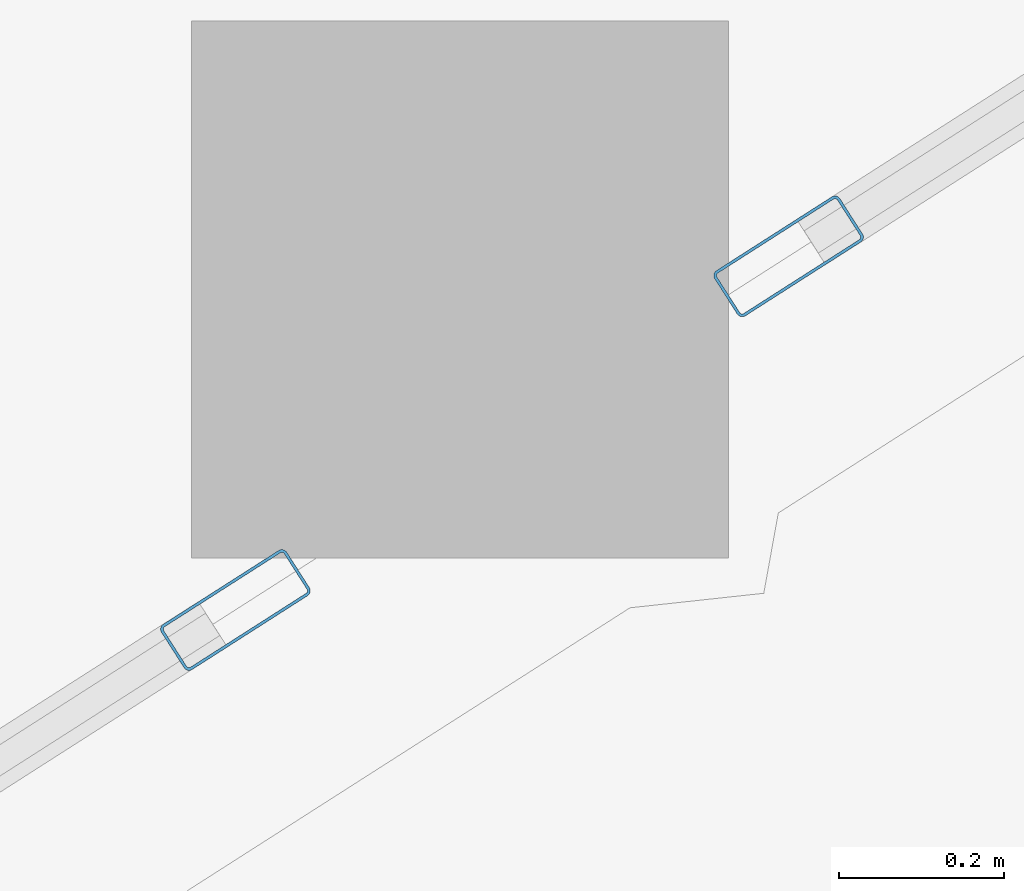
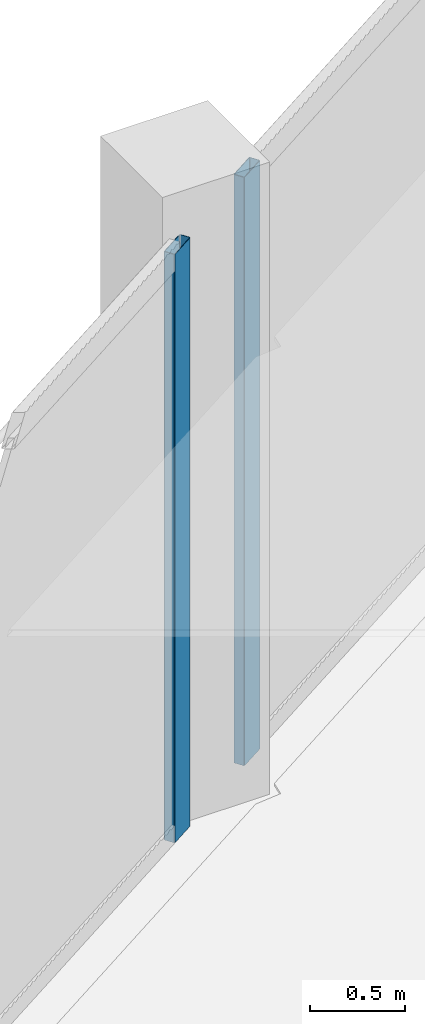
# One storey, part 21 of 45: 2 members, 2 elements without a shape of their own.
"""IFC4 building model written with IfcOpenShell, lengths in metres."""

import ifcopenshell
import ifcopenshell.guid

model = None  # the IFC model being written
_history = None  # IfcOwnerHistory: only IFC2X3 demands one
_inside = {}  # id of a spatial element -> (the spatial element, [elements in it])
_under = {}  # id of a project, library or spatial element -> (it, [spatial elements below it])
_declared = {}  # id of a project -> (the project, [libraries it declares])
_typed = {}  # id of a type object -> (the type object, [elements of that type])
_made_of = {}  # id of a material, layer set ... -> (it, [elements and type objects made of it])


def new_model(schema):
    """Start an empty IFC model of exactly this schema.

    Asked for "IFC4X3", IfcOpenShell would pick the latest addendum, in which some entities
    have other attributes; the version numbers below select the first issue.
    IFC2X3 requires an IfcOwnerHistory on every rooted entity: one is made here for all.
    """
    global model, _history
    if schema == "IFC4X3":
        model = ifcopenshell.file(schema_version=(4, 3, 0, 0))
    else:
        model = ifcopenshell.file(schema=schema)
    _inside.clear()
    _under.clear()
    _declared.clear()
    _typed.clear()
    _made_of.clear()
    _history = None
    if model.schema == "IFC2X3":
        org = make("IfcOrganization", Name="unknown")
        user = make(
            "IfcPersonAndOrganization",
            ThePerson=make("IfcPerson", FamilyName="unknown"),
            TheOrganization=org,
        )
        app = make(
            "IfcApplication",
            ApplicationDeveloper=org,
            Version="unknown",
            ApplicationFullName="unknown",
            ApplicationIdentifier="unknown",
        )
        _history = make(
            "IfcOwnerHistory",
            OwningUser=user,
            OwningApplication=app,
            ChangeAction="ADDED",
            CreationDate=0,
        )
    return model


def make(cls, **values):
    """One entity of the class cls with the attributes given. An attribute that is None is left unset."""
    return model.create_entity(
        cls, **{name: value for name, value in values.items() if value is not None}
    )


def rooted(cls, **values):
    """An entity with a GlobalId (a new one), such as an element, a storey or a relation."""
    return make(cls, GlobalId=ifcopenshell.guid.new(), OwnerHistory=_history, **values)


def si_unit(unit_type, name, prefix=None):
    """IfcSIUnit, for example si_unit("LENGTHUNIT", "METRE", prefix="MILLI")."""
    return make("IfcSIUnit", UnitType=unit_type, Prefix=prefix, Name=name)


def assignment(units):
    """IfcUnitAssignment: the units of a project."""
    return None if units is None else make("IfcUnitAssignment", Units=units)


def point(xyz):
    """IfcCartesianPoint."""
    return None if xyz is None else make("IfcCartesianPoint", Coordinates=xyz)


def direction(xyz):
    """IfcDirection."""
    return None if xyz is None else make("IfcDirection", DirectionRatios=xyz)


def frame(location, z_axis=None, x_axis=None):
    """IfcAxis2Placement3D, a coordinate frame: its origin and axes. An axis left out is left unset."""
    return make(
        "IfcAxis2Placement3D",
        Location=point(location),
        Axis=direction(z_axis),
        RefDirection=direction(x_axis),
    )


def frame_2d(location, x_axis=None):
    """IfcAxis2Placement2D, a coordinate frame in the plane: its origin and x axis."""
    return make(
        "IfcAxis2Placement2D", Location=point(location), RefDirection=direction(x_axis)
    )


def origin():
    """The frame at (0, 0, 0) with its axes left unset."""
    return frame((0.0, 0.0, 0.0))


def origin_2d():
    """The frame at (0, 0) in the plane with its x axis left unset."""
    return frame_2d((0.0, 0.0))


def place(relative_to, where):
    """IfcLocalPlacement: puts the frame where relative to a parent placement (None: the world)."""
    return make(
        "IfcLocalPlacement", PlacementRelTo=relative_to, RelativePlacement=where
    )


def context(
    kind, dimensions, precision=None, world=None, true_north=None, identifier=None
):
    """IfcGeometricRepresentationContext, for example the 3D "Model" context."""
    return make(
        "IfcGeometricRepresentationContext",
        ContextIdentifier=identifier,
        ContextType=kind,
        CoordinateSpaceDimension=dimensions,
        Precision=precision,
        WorldCoordinateSystem=world,
        TrueNorth=true_north,
    )


def subcontext(parent, identifier, kind, view, scale=None):
    """IfcGeometricRepresentationSubContext, for example "Body" below "Model"."""
    return make(
        "IfcGeometricRepresentationSubContext",
        ContextIdentifier=identifier,
        ContextType=kind,
        ParentContext=parent,
        TargetScale=scale,
        TargetView=view,
    )


def project(units=None, contexts=None):
    """IfcProject with its units and contexts."""
    return rooted(
        "IfcProject",
        Name="project",
        RepresentationContexts=contexts,
        UnitsInContext=assignment(units),
    )


def spatial(cls, under=None, at=None, **own):
    """A site, building, storey or space (cls), placed at a placement, below another one or the project."""
    s = rooted(cls, ObjectPlacement=at, **own)
    if under is not None:
        _under.setdefault(under.id(), (under, []))[1].append(s)
    return s


def profile(cls, at=None, kind="AREA", **sizes):
    """A parametric profile (cls). Its sizes go by their IFC names, for example OverallWidth=200.0."""
    return make(cls, ProfileType=kind, Position=at, **sizes)


def hollow_rectangle(**sizes):
    """IfcRectangleHollowProfileDef."""
    return profile("IfcRectangleHollowProfileDef", **sizes)


def extrude(swept, where, along, depth):
    """IfcExtrudedAreaSolid: the profile swept, set in the frame where, extruded along a direction by depth."""
    return make(
        "IfcExtrudedAreaSolid",
        SweptArea=swept,
        Position=where,
        ExtrudedDirection=direction(along),
        Depth=depth,
    )


def shape(context_of_items, identifier, shape_type, items):
    """IfcShapeRepresentation: the items that make up one representation, for example the "Body"."""
    return make(
        "IfcShapeRepresentation",
        ContextOfItems=context_of_items,
        RepresentationIdentifier=identifier,
        RepresentationType=shape_type,
        Items=items,
    )


def material(Name=None, Category=None):
    """IfcMaterial."""
    return make("IfcMaterial", Name=Name, Category=Category)


def layer(
    of_material, thickness, ventilated=None, Name=None, Category=None, Priority=None
):
    """IfcMaterialLayer: one layer of a wall or slab, of a material (None: an air gap)."""
    return make(
        "IfcMaterialLayer",
        Material=of_material,
        LayerThickness=thickness,
        IsVentilated=ventilated,
        Name=Name,
        Category=Category,
        Priority=Priority,
    )


def layer_set(layers, Name=None):
    """IfcMaterialLayerSet."""
    return make("IfcMaterialLayerSet", MaterialLayers=layers, LayerSetName=Name)


def material_profile(
    of_material, cross_section, Name=None, Category=None, Priority=None
):
    """IfcMaterialProfile: a cross section and its material."""
    return make(
        "IfcMaterialProfile",
        Name=Name,
        Material=of_material,
        Profile=cross_section,
        Priority=Priority,
        Category=Category,
    )


def profile_set(profiles, Name=None, composite=None):
    """IfcMaterialProfileSet."""
    return make(
        "IfcMaterialProfileSet",
        Name=Name,
        MaterialProfiles=profiles,
        CompositeProfile=composite,
    )


def made_of(thing, what):
    """Note that an element or type object is made of a material, layer set ...; save() writes the relation."""
    if what is not None:
        _made_of.setdefault(what.id(), (what, []))[1].append(thing)
    return thing


def type_object(cls, material=None, **own):
    """A type object (cls), such as IfcWallType, which elements share."""
    return made_of(rooted(cls, **own), material)


def element(
    cls,
    number,
    at=None,
    inside=None,
    cuts=None,
    type_object=None,
    material=None,
    context=None,
    identifier="Body",
    shape_type=None,
    held_by="IfcProductDefinitionShape",
    body=None,
    shapes=None,
    **own,
):
    """One element of the class cls, such as IfcWall. Its Tag is "e" and its number.

    at: its placement. inside: the storey or other place that contains it. cuts: it is an
    opening in that element (IfcRelVoidsElement). A single representation is given by context,
    identifier, shape_type and body (its items); several are given by shapes. held_by: the class
    of the entity that holds the representations. save() writes the other relations.
    """
    e = rooted(cls, Tag="e%d" % number, ObjectPlacement=at, **own)
    if body is not None:
        shapes = [shape(context, identifier, shape_type, body)]
    if shapes is not None:
        e.Representation = make(held_by, Representations=shapes)
    if inside is not None:
        _inside.setdefault(inside.id(), (inside, []))[1].append(e)
    if cuts is not None:
        rooted(
            "IfcRelVoidsElement", RelatingBuildingElement=cuts, RelatedOpeningElement=e
        )
    if type_object is not None:
        _typed.setdefault(type_object.id(), (type_object, []))[1].append(e)
    return made_of(e, material)


def aggregate(whole, parts):
    """IfcRelAggregates: a whole, such as a stair, and the parts it consists of."""
    return rooted("IfcRelAggregates", RelatingObject=whole, RelatedObjects=parts)


def save(model, path):
    """Write the relations noted so far, then the file.

    IfcRelAggregates (storeys below a building ...), IfcRelContainedInSpatialStructure (elements
    in a storey), IfcRelDefinesByType, IfcRelAssociatesMaterial and IfcRelDeclares: one each for
    every whole, place, type object, material and project.
    """
    for whole, parts in _under.values():
        aggregate(whole, parts)
    for where, things in _inside.values():
        rooted(
            "IfcRelContainedInSpatialStructure",
            RelatedElements=things,
            RelatingStructure=where,
        )
    for kind, things in _typed.values():
        rooted("IfcRelDefinesByType", RelatedObjects=things, RelatingType=kind)
    for what, things in _made_of.values():
        rooted("IfcRelAssociatesMaterial", RelatedObjects=things, RelatingMaterial=what)
    for by, libraries in _declared.values():
        rooted("IfcRelDeclares", RelatingContext=by, RelatedDefinitions=libraries)
    model.write(path)


model = new_model("IFC4")

# Units and contexts
model_context = context("Model", 3, precision=1e-05, world=origin(), true_north=direction((0.0, 1.0)))
body_context = subcontext(model_context, "Body", "Model", "MODEL_VIEW")
ifc_project = project(units=[si_unit("LENGTHUNIT", "METRE"), si_unit("AREAUNIT", "SQUARE_METRE"), si_unit("VOLUMEUNIT", "CUBIC_METRE"), si_unit("PLANEANGLEUNIT", "RADIAN"), si_unit("MASSUNIT", "GRAM", prefix="KILO")], contexts=[model_context])

# Site, building, storey
site_placement = place(None, origin())
site = spatial("IfcSite", under=ifc_project, at=site_placement, CompositionType="ELEMENT")
building_placement = place(site_placement, origin())
building = spatial("IfcBuilding", under=site, at=building_placement, Name="Qorvath Tower", CompositionType="ELEMENT")
storey_placement = place(building_placement, frame((0.0, 0.0, 126.0)))
storey = spatial("IfcBuildingStorey", under=building, at=storey_placement, Name="L28", CompositionType="ELEMENT", Elevation=126.0)

# Curtain wall, member
ifc_material_1 = material(Name="Anodised aluminium and triple low-E glass", Category="aluminium")
ifc_layer = layer(ifc_material_1, 0.179931640625)
ifc_layer_set = layer_set([ifc_layer], Name="CW-SYS-2")
curtain_wall_type = type_object("IfcCurtainWallType", Name="CW-SYS-2", PredefinedType="NOTDEFINED", material=ifc_layer_set)
curtain_wall_1_placement = place(storey_placement, origin())
curtain_wall_1 = element("IfcCurtainWall", 1, at=curtain_wall_1_placement, inside=storey, type_object=curtain_wall_type, Name="Curtain Wall CW-2 CW-T-L28-16.1", PredefinedType="NOTDEFINED")
ifc_material_2 = material(Name="Anodised aluminium 6063-T6", Category="aluminium")
ifc_material_profile = material_profile(ifc_material_2, hollow_rectangle(XDim=0.06494140625, YDim=0.179931640625, WallThickness=0.00341796875, InnerFilletRadius=0.00341796875, OuterFilletRadius=0.007080078125, at=origin_2d()), Name="CWM 180x65")
ifc_profile_set = profile_set([ifc_material_profile], Name="Anodised aluminium 6063-T6")
member_type = type_object("IfcMemberType", Name="CWM-180", PredefinedType="MULLION", material=ifc_profile_set)
member_1_placement = place(storey_placement, frame((-24.64013671875, 25.09912109375, 0.0), z_axis=(0.0, 0.0, 1.0), x_axis=(0.538548392681, -0.842594581481, 0.0)))
member_1 = element("IfcMember", 2, at=member_1_placement, type_object=member_type, Name="CW-2 mullion 3", PredefinedType="MULLION", context=body_context, shape_type="SweptSolid", body=[
    extrude(hollow_rectangle(XDim=0.06494140625, YDim=0.179931640625, WallThickness=0.00341796875, InnerFilletRadius=0.00341796875, OuterFilletRadius=0.007080078125, at=origin_2d()), origin(), (0.0, 0.0, 1.0), 3.77001953125),
])
aggregate(curtain_wall_1, [member_1])

curtain_wall_2_placement = place(storey_placement, origin())
curtain_wall_2 = element("IfcCurtainWall", 3, at=curtain_wall_2_placement, inside=storey, type_object=curtain_wall_type, Name="Curtain Wall CW-2 CW-T-L28-16.2", PredefinedType="NOTDEFINED")
member_2_placement = place(storey_placement, frame((-25.3095703125, 24.671142578125, 0.0), z_axis=(0.0, 0.0, 1.0), x_axis=(0.538529520478, -0.842606643442, 0.0)))
member_2 = element("IfcMember", 4, at=member_2_placement, type_object=member_type, Name="CW-2 mullion 1", PredefinedType="MULLION", context=body_context, shape_type="SweptSolid", body=[
    extrude(hollow_rectangle(XDim=0.06494140625, YDim=0.179931640625, WallThickness=0.00341796875, InnerFilletRadius=0.00341796875, OuterFilletRadius=0.007080078125, at=origin_2d()), origin(), (0.0, 0.0, 1.0), 3.77001953125),
])
aggregate(curtain_wall_2, [member_2])

save(model, "model.ifc")
